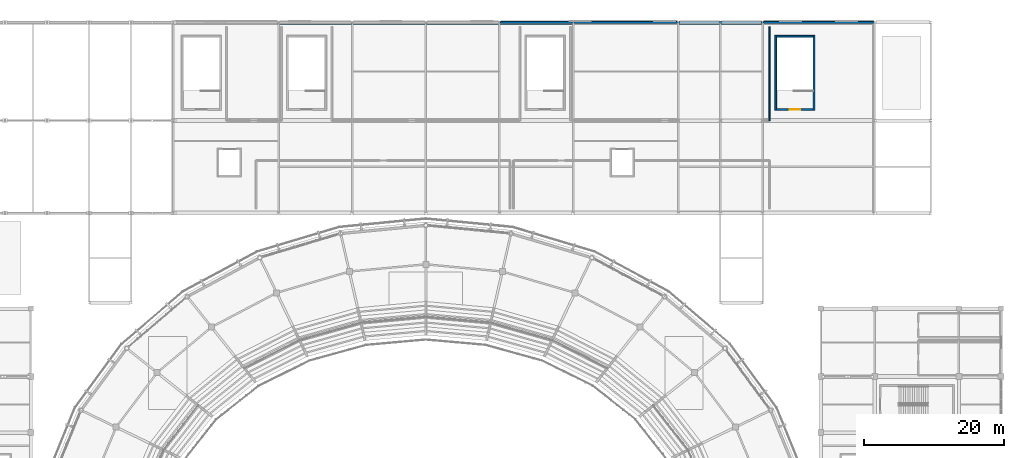
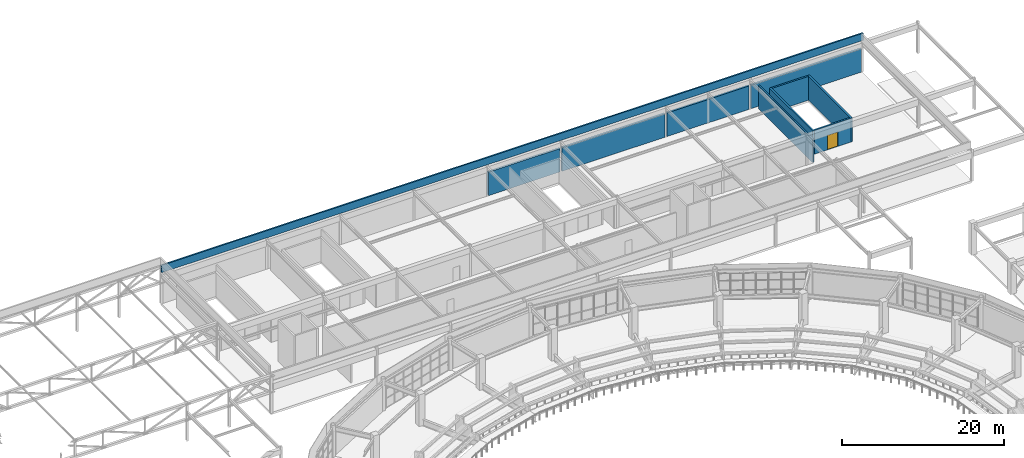
# One storey, part 108 of 122: 10 walls, 1 door, 1 opening.
"""IFC4 building model written with IfcOpenShell, lengths in metres."""

from ifc_helpers import new_model, si_unit, direction, frame, frame_2d, origin, place, context, subcontext, project, spatial, rectangle, extrude, material, layer, layer_set, type_object, element, fill, save


model = new_model("IFC4")

# Units and contexts
model_context = context("Model", 3, precision=1e-05, world=origin(), true_north=direction((0.0, 1.0)))
body_context = subcontext(model_context, "Body", "Model", "MODEL_VIEW")
ifc_project = project(units=[si_unit("LENGTHUNIT", "METRE"), si_unit("AREAUNIT", "SQUARE_METRE"), si_unit("VOLUMEUNIT", "CUBIC_METRE"), si_unit("PLANEANGLEUNIT", "RADIAN"), si_unit("MASSUNIT", "GRAM", prefix="KILO")], contexts=[model_context])

# Site, building, storey
site_placement = place(None, origin())
site = spatial("IfcSite", under=ifc_project, at=site_placement, CompositionType="ELEMENT")
building_placement = place(site_placement, origin())
building = spatial("IfcBuilding", under=site, at=building_placement, Name="Cuetzalor Civic Arena", CompositionType="ELEMENT")
storey_placement = place(building_placement, frame((0.0, 0.0, 16.199951171875)))
storey = spatial("IfcBuildingStorey", under=building, at=storey_placement, Name="L03", CompositionType="ELEMENT", Elevation=16.199951171875)

# Walls
ifc_material_1 = material(Name="Standing-seam charcoal zinc insulated wall", Category="steel")
ifc_layer_1 = layer(ifc_material_1, 0.280029296875)
ifc_layer_set_1 = layer_set([ifc_layer_1], Name="Standing-seam charcoal zinc insulated wall")
wall_type_1 = type_object("IfcWallType", Name="AcousticZincCladWall_280", PredefinedType="SOLIDWALL", material=ifc_layer_set_1)
wall_1_placement = place(storey_placement, frame((10.634521484375, 75.5, 0.0), z_axis=(0.0, 0.0, 1.0), x_axis=(1.0, 0.0, 0.0)))
element("IfcWall", 1, at=wall_1_placement, inside=storey, type_object=wall_type_1, Name="North Basalt Facade Wall L03-229", PredefinedType="SOLIDWALL", context=body_context, shape_type="SweptSolid", body=[
    extrude(rectangle(XDim=10.23095703125, YDim=0.280029296875, at=frame_2d((5.115478515625, 0.0))), origin(), (0.0, 0.0, 1.0), 3.5400390625),
])
wall_2_placement = place(storey_placement, frame((21.134521484375, 75.5, 0.0), z_axis=(0.0, 0.0, 1.0), x_axis=(1.0, 0.0, 0.0)))
element("IfcWall", 2, at=wall_2_placement, inside=storey, type_object=wall_type_1, Name="North Basalt Facade Wall L03-230", PredefinedType="SOLIDWALL", context=body_context, shape_type="SweptSolid", body=[
    extrude(rectangle(XDim=14.73095703125, YDim=0.280029296875, at=frame_2d((7.365478515625, 0.0))), origin(), (0.0, 0.0, 1.0), 3.5400390625),
])
wall_3_placement = place(storey_placement, frame((36.134521484375, 75.5, 0.0), z_axis=(0.0, 0.0, 1.0), x_axis=(1.0, 0.0, 0.0)))
element("IfcWall", 3, at=wall_3_placement, inside=storey, type_object=wall_type_1, Name="North Basalt Facade Wall L03-231", PredefinedType="SOLIDWALL", context=body_context, shape_type="SweptSolid", body=[
    extrude(rectangle(XDim=11.73095703125, YDim=0.280029296875, at=frame_2d((5.865478515625, 0.0))), origin(), (0.0, 0.0, 1.0), 3.5400390625),
])
wall_4_placement = place(storey_placement, frame((48.134521484375, 75.5, 0.0), z_axis=(0.0, 0.0, 1.0), x_axis=(1.0, 0.0, 0.0)))
element("IfcWall", 4, at=wall_4_placement, inside=storey, type_object=wall_type_1, Name="North Basalt Facade Wall L03-232", PredefinedType="SOLIDWALL", context=body_context, shape_type="SweptSolid", body=[
    extrude(rectangle(XDim=15.73095703125, YDim=0.280029296875, at=frame_2d((7.865478515625, 0.0))), origin(), (0.0, 0.0, 1.0), 3.5400390625),
])
ifc_material_2 = material(Name="Dark volcanic basalt parapet Concrete C35/45", Category="masonry")
ifc_layer_2 = layer(ifc_material_2, 0.2099609375)
ifc_layer_set_2 = layer_set([ifc_layer_2], Name="Dark volcanic basalt parapet Concrete C35/45")
wall_type_2 = type_object("IfcWallType", Name="BasaltRoofParapet_210", PredefinedType="PARAPET", material=ifc_layer_set_2)
wall_5_placement = place(storey_placement, frame((-36.10009765625, 75.35009765625, 4.800048828125), z_axis=(0.0, 0.0, 1.0), x_axis=(1.0, 0.0, 0.0)))
element("IfcWall", 5, at=wall_5_placement, inside=storey, type_object=wall_type_2, Name="Roof Parapet 01 L03-249", PredefinedType="PARAPET", context=body_context, shape_type="SweptSolid", body=[
    extrude(rectangle(XDim=100.2001953125, YDim=0.2099609375, at=frame_2d((50.10009765625, 0.0))), origin(), (0.0, 0.0, 1.0), 1.10009765625),
])
ifc_material_3 = material(Name="Concrete C40/50", Category="concrete")
ifc_layer_3 = layer(ifc_material_3, 0.25)
ifc_layer_set_3 = layer_set([ifc_layer_3], Name="Concrete C40/50")
wall_type_3 = type_object("IfcWallType", Name="ConcreteCoreShearWall_250", PredefinedType="SHEAR", material=ifc_layer_set_3)
wall_6_placement = place(storey_placement, frame((49.875, 62.949951171875, 0.0), z_axis=(0.0, 0.0, 1.0), x_axis=(0.0, 1.0, 0.0)))
element("IfcWall", 6, at=wall_6_placement, inside=storey, type_object=wall_type_3, Name="Stair Core Shear Wall ST-27-L03-W", PredefinedType="SHEAR", context=body_context, shape_type="SweptSolid", body=[
    extrude(rectangle(XDim=10.699951171875, YDim=0.25, at=frame_2d((5.35009765625, 0.0))), origin(), (0.0, 0.0, 1.0), 3.60009765625),
])
wall_7_placement = place(storey_placement, frame((50.0, 73.52490234375, 0.0), z_axis=(0.0, 0.0, 1.0), x_axis=(1.0, 0.0, 0.0)))
element("IfcWall", 7, at=wall_7_placement, inside=storey, type_object=wall_type_3, Name="Stair Core Shear Wall ST-27-L03-N", PredefinedType="SHEAR", context=body_context, shape_type="SweptSolid", body=[
    extrude(rectangle(XDim=5.199951171875, YDim=0.25, at=frame_2d((2.60009765625, 0.0))), origin(), (0.0, 0.0, 1.0), 3.60009765625),
])
wall_8_placement = place(storey_placement, frame((55.324951171875, 73.64990234375, 0.0), z_axis=(0.0, 0.0, 1.0), x_axis=(0.0, -1.0, 0.0)))
element("IfcWall", 8, at=wall_8_placement, inside=storey, type_object=wall_type_3, Name="Stair Core Shear Wall ST-27-L03-E", PredefinedType="SHEAR", context=body_context, shape_type="SweptSolid", body=[
    extrude(rectangle(XDim=10.699951171875, YDim=0.25, at=frame_2d((5.35009765625, 0.0))), origin(), (0.0, 0.0, 1.0), 3.60009765625),
])

# Wall, opening, door
wall_9_placement = place(storey_placement, frame((55.199951171875, 63.074951171875, 0.0), z_axis=(0.0, 0.0, 1.0), x_axis=(-1.0, 0.0, 0.0)))
wall_9 = element("IfcWall", 9, at=wall_9_placement, inside=storey, type_object=wall_type_3, Name="Stair Core Shear Wall ST-27-L03-S", PredefinedType="SHEAR", context=body_context, shape_type="SweptSolid", body=[
    extrude(rectangle(XDim=5.199951171875, YDim=0.25, at=frame_2d((2.60009765625, 0.0))), origin(), (0.0, 0.0, 1.0), 3.60009765625),
])
opening_placement = place(wall_9_placement, frame((1.85009765625, 0.0, 0.0)))
opening = element("IfcOpeningElement", 10, at=opening_placement, cuts=wall_9, Name="Opening FD-03", PredefinedType="OPENING", context=body_context, shape_type="SweptSolid", body=[
    extrude(rectangle(XDim=1.5, YDim=2.199951171875, at=frame_2d((0.75, 1.10009765625))), frame((0.0, 0.135009765625, 0.0), z_axis=(0.0, -1.0, 0.0), x_axis=(1.0, 0.0, 0.0)), (0.0, 0.0, 1.0), 0.27001953125),
])
ifc_material_4 = material(Name="Fire-rated steel stair exit double door", Category="steel")
door_type = type_object("IfcDoorType", Name="StairFireDoubleDoor_1500x2200", OperationType="DOUBLE_DOOR_SINGLE_SWING", PredefinedType="DOOR", material=ifc_material_4)
door_placement = place(opening_placement, origin())
door = element("IfcDoor", 11, at=door_placement, inside=storey, type_object=door_type, Name="Fire Stair Door ST-27 L03", OperationType="DOUBLE_DOOR_SINGLE_SWING", OverallHeight=2.199951171875, OverallWidth=1.5, PredefinedType="DOOR", context=body_context, shape_type="SweptSolid", body=[
    extrude(rectangle(XDim=1.5, YDim=2.199951171875, at=frame_2d((0.75, 1.10009765625))), frame((0.0, 0.02490234375, 0.0), z_axis=(0.0, -1.0, 0.0), x_axis=(1.0, 0.0, 0.0)), (0.0, 0.0, 1.0), 0.050048828125),
])
fill(opening, door)

# Wall
ifc_material_5 = material(Name="Fire-rated masonry and gypsum partition", Category="masonry")
ifc_layer_4 = layer(ifc_material_5, 0.199951171875)
ifc_layer_set_4 = layer_set([ifc_layer_4], Name="Fire-rated masonry and gypsum partition")
wall_type_4 = type_object("IfcWallType", Name="FireCompartmentWall_200", PredefinedType="PARTITIONING", material=ifc_layer_set_4)
wall_10_placement = place(storey_placement, frame((49.0, 74.89990234375, 0.0), z_axis=(0.0, 0.0, 1.0), x_axis=(0.0, -1.0, 0.0)))
element("IfcWall", 12, at=wall_10_placement, inside=storey, type_object=wall_type_4, Name="Interior Partition IWALL:L03:0496", PredefinedType="PARTITIONING", context=body_context, shape_type="SweptSolid", body=[
    extrude(rectangle(XDim=13.39990234375, YDim=0.199951171875, at=frame_2d((6.699951171875, 0.0))), origin(), (0.0, 0.0, 1.0), 3.525146484375),
])

save(model, "model.ifc")
